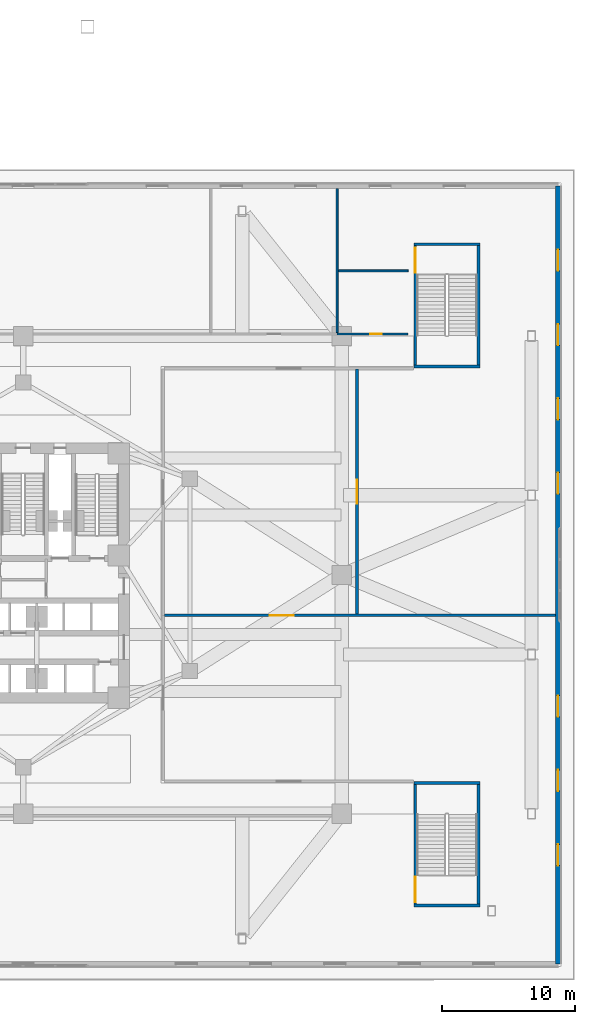
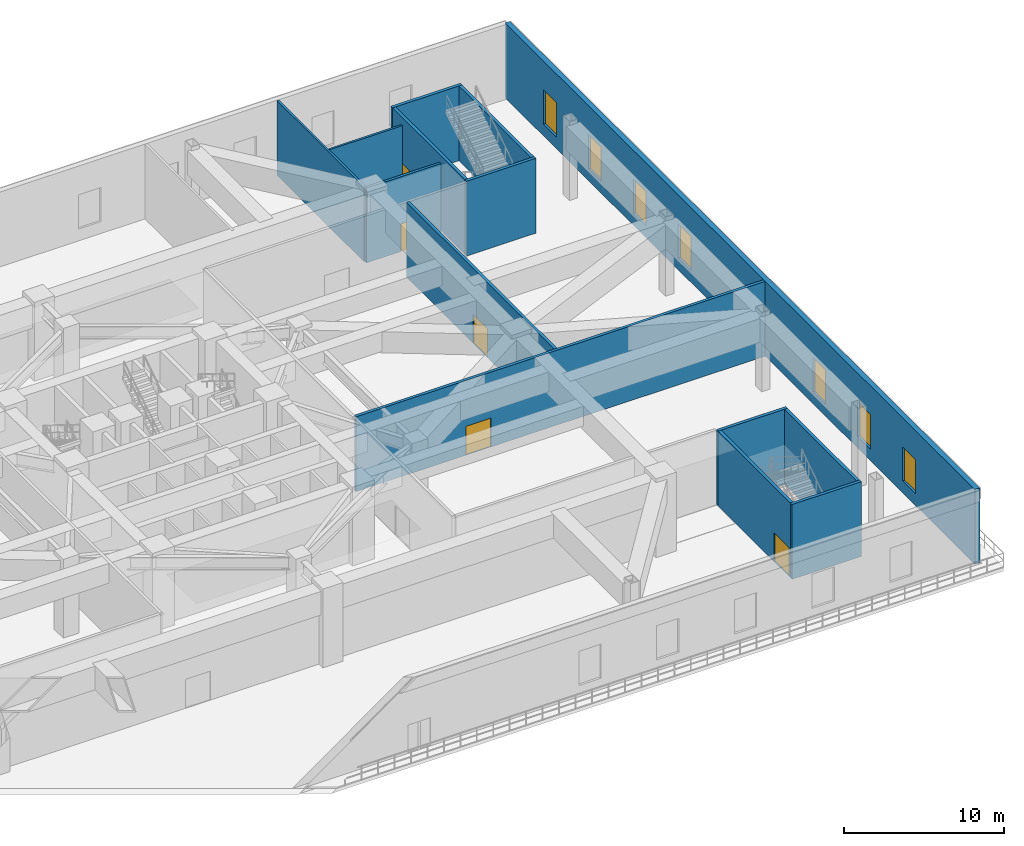
# One storey, part 15 of 25: 14 walls, 7 windows, 5 doors, 12 openings.
"""IFC4 building model written with IfcOpenShell, lengths in metres."""

from ifc_helpers import new_model, si_unit, direction, frame, frame_2d, origin, place, context, subcontext, project, spatial, rectangle, extrude, material, layer, layer_set, type_object, element, fill, save


model = new_model("IFC4")

# Units and contexts
model_context = context("Model", 3, precision=1e-05, world=origin(), true_north=direction((0.0, 1.0)))
body_context = subcontext(model_context, "Body", "Model", "MODEL_VIEW")
ifc_project = project(units=[si_unit("LENGTHUNIT", "METRE"), si_unit("AREAUNIT", "SQUARE_METRE"), si_unit("VOLUMEUNIT", "CUBIC_METRE"), si_unit("PLANEANGLEUNIT", "RADIAN"), si_unit("MASSUNIT", "GRAM", prefix="KILO")], contexts=[model_context])

# Site, building, storey
site_placement = place(None, origin())
site = spatial("IfcSite", under=ifc_project, at=site_placement, CompositionType="ELEMENT")
building_placement = place(site_placement, origin())
building = spatial("IfcBuilding", under=site, at=building_placement, Name="Apsidion Concourse Tower", CompositionType="ELEMENT")
storey_placement = place(building_placement, frame((0.0, 0.0, 11.5)))
storey = spatial("IfcBuildingStorey", under=building, at=storey_placement, Name="L02", CompositionType="ELEMENT", Elevation=11.5)

# Wall, openings, windows
ifc_material_1 = material(Name="Precast concrete C40/50", Category="concrete")
ifc_layer_1 = layer(ifc_material_1, 0.360107421875)
ifc_layer_set_1 = layer_set([ifc_layer_1], Name="Precast concrete C40/50")
wall_type_1 = type_object("IfcWallType", Name="WL-EXT-360", PredefinedType="STANDARD", material=ifc_layer_set_1)
wall_1_placement = place(storey_placement, frame((40.300048828125, 29.300048828125, 0.0), z_axis=(0.0, 0.0, 1.0), x_axis=(0.0, -1.0, 0.0)))
wall_1 = element("IfcWall", 1, at=wall_1_placement, inside=storey, type_object=wall_type_1, Name="L02 Podium Precast Stone Facade Wall E", PredefinedType="STANDARD", context=body_context, shape_type="SweptSolid", body=[
    extrude(rectangle(XDim=58.60009765625, YDim=0.360107421875, at=frame_2d((29.300048828125, 0.0))), origin(), (0.0, 0.0, 1.0), 5.699951171875),
])
opening_1_placement = place(wall_1_placement, frame((4.800048828125, 0.0, 0.89990234375)))
opening_1 = element("IfcOpeningElement", 2, at=opening_1_placement, cuts=wall_1, Name="Opening WN-02", PredefinedType="OPENING", context=body_context, shape_type="SweptSolid", body=[
    extrude(rectangle(XDim=1.60009765625, YDim=2.60009765625, at=frame_2d((0.800048828125, 1.300048828125))), frame((0.0, 0.18994140625, 0.0), z_axis=(0.0, -1.0, 0.0), x_axis=(1.0, 0.0, 0.0)), (0.0, 0.0, 1.0), 0.380126953125),
])
opening_2_placement = place(wall_1_placement, frame((10.39990234375, 0.0, 0.89990234375)))
opening_2 = element("IfcOpeningElement", 3, at=opening_2_placement, cuts=wall_1, Name="Opening WN-02", PredefinedType="OPENING", context=body_context, shape_type="SweptSolid", body=[
    extrude(rectangle(XDim=1.60009765625, YDim=2.60009765625, at=frame_2d((0.800048828125, 1.300048828125))), frame((0.0, 0.18994140625, 0.0), z_axis=(0.0, -1.0, 0.0), x_axis=(1.0, 0.0, 0.0)), (0.0, 0.0, 1.0), 0.380126953125),
])
opening_3_placement = place(wall_1_placement, frame((16.0, 0.0, 0.89990234375)))
opening_3 = element("IfcOpeningElement", 4, at=opening_3_placement, cuts=wall_1, Name="Opening WN-02", PredefinedType="OPENING", context=body_context, shape_type="SweptSolid", body=[
    extrude(rectangle(XDim=1.60009765625, YDim=2.60009765625, at=frame_2d((0.800048828125, 1.300048828125))), frame((0.0, 0.18994140625, 0.0), z_axis=(0.0, -1.0, 0.0), x_axis=(1.0, 0.0, 0.0)), (0.0, 0.0, 1.0), 0.380126953125),
])
opening_4_placement = place(wall_1_placement, frame((21.60009765625, 0.0, 0.89990234375)))
opening_4 = element("IfcOpeningElement", 5, at=opening_4_placement, cuts=wall_1, Name="Opening WN-02", PredefinedType="OPENING", context=body_context, shape_type="SweptSolid", body=[
    extrude(rectangle(XDim=1.60009765625, YDim=2.60009765625, at=frame_2d((0.800048828125, 1.300048828125))), frame((0.0, 0.18994140625, 0.0), z_axis=(0.0, -1.0, 0.0), x_axis=(1.0, 0.0, 0.0)), (0.0, 0.0, 1.0), 0.380126953125),
])
opening_5_placement = place(wall_1_placement, frame((38.39990234375, 0.0, 0.89990234375)))
opening_5 = element("IfcOpeningElement", 6, at=opening_5_placement, cuts=wall_1, Name="Opening WN-02", PredefinedType="OPENING", context=body_context, shape_type="SweptSolid", body=[
    extrude(rectangle(XDim=1.60009765625, YDim=2.60009765625, at=frame_2d((0.800048828125, 1.300048828125))), frame((0.0, 0.18994140625, 0.0), z_axis=(0.0, -1.0, 0.0), x_axis=(1.0, 0.0, 0.0)), (0.0, 0.0, 1.0), 0.380126953125),
])
opening_6_placement = place(wall_1_placement, frame((44.0, 0.0, 0.89990234375)))
opening_6 = element("IfcOpeningElement", 7, at=opening_6_placement, cuts=wall_1, Name="Opening WN-02", PredefinedType="OPENING", context=body_context, shape_type="SweptSolid", body=[
    extrude(rectangle(XDim=1.60009765625, YDim=2.60009765625, at=frame_2d((0.800048828125, 1.300048828125))), frame((0.0, 0.18994140625, 0.0), z_axis=(0.0, -1.0, 0.0), x_axis=(1.0, 0.0, 0.0)), (0.0, 0.0, 1.0), 0.380126953125),
])
opening_7_placement = place(wall_1_placement, frame((49.60009765625, 0.0, 0.89990234375)))
opening_7 = element("IfcOpeningElement", 8, at=opening_7_placement, cuts=wall_1, Name="Opening WN-02", PredefinedType="OPENING", context=body_context, shape_type="SweptSolid", body=[
    extrude(rectangle(XDim=1.60009765625, YDim=2.60009765625, at=frame_2d((0.800048828125, 1.300048828125))), frame((0.0, 0.18994140625, 0.0), z_axis=(0.0, -1.0, 0.0), x_axis=(1.0, 0.0, 0.0)), (0.0, 0.0, 1.0), 0.380126953125),
])
ifc_material_2 = material(Name="Insulated laminated low-E glass", Category="glass")
window_type = type_object("IfcWindowType", Name="WN-POD-1626", PartitioningType="DOUBLE_PANEL_VERTICAL", PredefinedType="WINDOW", material=ifc_material_2)
window_1_placement = place(opening_1_placement, origin())
window_1 = element("IfcWindow", 9, at=window_1_placement, inside=storey, type_object=window_type, Name="L02 Podium Window E-01", OverallHeight=2.60009765625, OverallWidth=1.60009765625, PartitioningType="DOUBLE_PANEL_VERTICAL", PredefinedType="WINDOW", context=body_context, shape_type="SweptSolid", body=[
    extrude(rectangle(XDim=1.60009765625, YDim=2.60009765625, at=frame_2d((0.800048828125, 1.300048828125))), frame((0.0, 0.030029296875, 0.0), z_axis=(0.0, -1.0, 0.0), x_axis=(1.0, 0.0, 0.0)), (0.0, 0.0, 1.0), 0.06005859375),
])
fill(opening_1, window_1)
window_2_placement = place(opening_2_placement, origin())
window_2 = element("IfcWindow", 10, at=window_2_placement, inside=storey, type_object=window_type, Name="L02 Podium Window E-02", OverallHeight=2.60009765625, OverallWidth=1.60009765625, PartitioningType="DOUBLE_PANEL_VERTICAL", PredefinedType="WINDOW", context=body_context, shape_type="SweptSolid", body=[
    extrude(rectangle(XDim=1.60009765625, YDim=2.60009765625, at=frame_2d((0.800048828125, 1.300048828125))), frame((0.0, 0.030029296875, 0.0), z_axis=(0.0, -1.0, 0.0), x_axis=(1.0, 0.0, 0.0)), (0.0, 0.0, 1.0), 0.06005859375),
])
fill(opening_2, window_2)
window_3_placement = place(opening_3_placement, origin())
window_3 = element("IfcWindow", 11, at=window_3_placement, inside=storey, type_object=window_type, Name="L02 Podium Window E-03", OverallHeight=2.60009765625, OverallWidth=1.60009765625, PartitioningType="DOUBLE_PANEL_VERTICAL", PredefinedType="WINDOW", context=body_context, shape_type="SweptSolid", body=[
    extrude(rectangle(XDim=1.60009765625, YDim=2.60009765625, at=frame_2d((0.800048828125, 1.300048828125))), frame((0.0, 0.030029296875, 0.0), z_axis=(0.0, -1.0, 0.0), x_axis=(1.0, 0.0, 0.0)), (0.0, 0.0, 1.0), 0.06005859375),
])
fill(opening_3, window_3)
window_4_placement = place(opening_4_placement, origin())
window_4 = element("IfcWindow", 12, at=window_4_placement, inside=storey, type_object=window_type, Name="L02 Podium Window E-04", OverallHeight=2.60009765625, OverallWidth=1.60009765625, PartitioningType="DOUBLE_PANEL_VERTICAL", PredefinedType="WINDOW", context=body_context, shape_type="SweptSolid", body=[
    extrude(rectangle(XDim=1.60009765625, YDim=2.60009765625, at=frame_2d((0.800048828125, 1.300048828125))), frame((0.0, 0.030029296875, 0.0), z_axis=(0.0, -1.0, 0.0), x_axis=(1.0, 0.0, 0.0)), (0.0, 0.0, 1.0), 0.06005859375),
])
fill(opening_4, window_4)
window_5_placement = place(opening_5_placement, origin())
window_5 = element("IfcWindow", 13, at=window_5_placement, inside=storey, type_object=window_type, Name="L02 Podium Window E-07", OverallHeight=2.60009765625, OverallWidth=1.60009765625, PartitioningType="DOUBLE_PANEL_VERTICAL", PredefinedType="WINDOW", context=body_context, shape_type="SweptSolid", body=[
    extrude(rectangle(XDim=1.60009765625, YDim=2.60009765625, at=frame_2d((0.800048828125, 1.300048828125))), frame((0.0, 0.030029296875, 0.0), z_axis=(0.0, -1.0, 0.0), x_axis=(1.0, 0.0, 0.0)), (0.0, 0.0, 1.0), 0.06005859375),
])
fill(opening_5, window_5)
window_6_placement = place(opening_6_placement, origin())
window_6 = element("IfcWindow", 14, at=window_6_placement, inside=storey, type_object=window_type, Name="L02 Podium Window E-08", OverallHeight=2.60009765625, OverallWidth=1.60009765625, PartitioningType="DOUBLE_PANEL_VERTICAL", PredefinedType="WINDOW", context=body_context, shape_type="SweptSolid", body=[
    extrude(rectangle(XDim=1.60009765625, YDim=2.60009765625, at=frame_2d((0.800048828125, 1.300048828125))), frame((0.0, 0.030029296875, 0.0), z_axis=(0.0, -1.0, 0.0), x_axis=(1.0, 0.0, 0.0)), (0.0, 0.0, 1.0), 0.06005859375),
])
fill(opening_6, window_6)
window_7_placement = place(opening_7_placement, origin())
window_7 = element("IfcWindow", 15, at=window_7_placement, inside=storey, type_object=window_type, Name="L02 Podium Window E-09", OverallHeight=2.60009765625, OverallWidth=1.60009765625, PartitioningType="DOUBLE_PANEL_VERTICAL", PredefinedType="WINDOW", context=body_context, shape_type="SweptSolid", body=[
    extrude(rectangle(XDim=1.60009765625, YDim=2.60009765625, at=frame_2d((0.800048828125, 1.300048828125))), frame((0.0, 0.030029296875, 0.0), z_axis=(0.0, -1.0, 0.0), x_axis=(1.0, 0.0, 0.0)), (0.0, 0.0, 1.0), 0.06005859375),
])
fill(opening_7, window_7)

# Wall, opening, door
ifc_material_3 = material(Name="Anodised aluminium EN AW-6063 T6", Category="aluminium")
ifc_layer_2 = layer(ifc_material_3, 0.2099609375)
ifc_layer_set_2 = layer_set([ifc_layer_2], Name="Anodised aluminium EN AW-6063 T6")
wall_type_2 = type_object("IfcWallType", Name="WL-INT-MOV-210", PredefinedType="MOVABLE", material=ifc_layer_set_2)
wall_2_placement = place(storey_placement, frame((10.64990234375, -3.050048828125, 0.0), z_axis=(0.0, 0.0, 1.0), x_axis=(1.0, 0.0, 0.0)))
wall_2 = element("IfcWall", 16, at=wall_2_placement, inside=storey, type_object=wall_type_2, Name="L02 Interior Partition WL-L02-EH", PredefinedType="MOVABLE", context=body_context, shape_type="SweptSolid", body=[
    extrude(rectangle(XDim=29.455078125, YDim=0.2099609375, at=frame_2d((14.7275390625, 0.0))), origin(), (0.0, 0.0, 1.0), 5.699951171875),
])
opening_8_placement = place(wall_2_placement, frame((7.9365234375, 0.0, 0.0)))
opening_8 = element("IfcOpeningElement", 17, at=opening_8_placement, cuts=wall_2, Name="Opening D-06D", PredefinedType="OPENING", context=body_context, shape_type="SweptSolid", body=[
    extrude(rectangle(XDim=1.800048828125, YDim=2.199951171875, at=frame_2d((0.89990234375, 1.10009765625))), frame((0.0, 0.114990234375, 0.0), z_axis=(0.0, -1.0, 0.0), x_axis=(1.0, 0.0, 0.0)), (0.0, 0.0, 1.0), 0.22998046875),
])
ifc_material_4 = material(Name="Brushed stainless steel 316", Category="steel")
door_type_1 = type_object("IfcDoorType", Name="DR-INT-D06D", OperationType="DOUBLE_DOOR_SINGLE_SWING", PredefinedType="DOOR", material=ifc_material_4)
door_1_placement = place(opening_8_placement, origin())
door_1 = element("IfcDoor", 18, at=door_1_placement, inside=storey, type_object=door_type_1, Name="L02 Convention Door WL-L02-EH", OperationType="DOUBLE_DOOR_SINGLE_SWING", OverallHeight=2.199951171875, OverallWidth=1.800048828125, PredefinedType="DOOR", context=body_context, shape_type="SweptSolid", body=[
    extrude(rectangle(XDim=1.800048828125, YDim=2.199951171875, at=frame_2d((0.89990234375, 1.10009765625))), frame((0.0, 0.02490234375, 0.0), z_axis=(0.0, -1.0, 0.0), x_axis=(1.0, 0.0, 0.0)), (0.0, 0.0, 1.0), 0.050048828125),
])
fill(opening_8, door_1)

wall_3_placement = place(storey_placement, frame((25.14990234375, -2.949951171875, 0.0), z_axis=(0.0, 0.0, 1.0), x_axis=(0.0, 1.0, 0.0)))
wall_3 = element("IfcWall", 19, at=wall_3_placement, inside=storey, type_object=wall_type_2, Name="L02 Interior Partition WL-L02-EV", PredefinedType="MOVABLE", context=body_context, shape_type="SweptSolid", body=[
    extrude(rectangle(XDim=18.449951171875, YDim=0.2099609375, at=frame_2d((9.22509765625, 0.0))), origin(), (0.0, 0.0, 1.0), 5.699951171875),
])
opening_9_placement = place(wall_3_placement, frame((8.324951171875, 0.0, 0.0)))
opening_9 = element("IfcOpeningElement", 20, at=opening_9_placement, cuts=wall_3, Name="Opening D-06D", PredefinedType="OPENING", context=body_context, shape_type="SweptSolid", body=[
    extrude(rectangle(XDim=1.800048828125, YDim=2.199951171875, at=frame_2d((0.89990234375, 1.10009765625))), frame((0.0, 0.114990234375, 0.0), z_axis=(0.0, -1.0, 0.0), x_axis=(1.0, 0.0, 0.0)), (0.0, 0.0, 1.0), 0.22998046875),
])
door_2_placement = place(opening_9_placement, origin())
door_2 = element("IfcDoor", 21, at=door_2_placement, inside=storey, type_object=door_type_1, Name="L02 Convention Door WL-L02-EV", OperationType="DOUBLE_DOOR_SINGLE_SWING", OverallHeight=2.199951171875, OverallWidth=1.800048828125, PredefinedType="DOOR", context=body_context, shape_type="SweptSolid", body=[
    extrude(rectangle(XDim=1.800048828125, YDim=2.199951171875, at=frame_2d((0.89990234375, 1.10009765625))), frame((0.0, 0.02490234375, 0.0), z_axis=(0.0, -1.0, 0.0), x_axis=(1.0, 0.0, 0.0)), (0.0, 0.0, 1.0), 0.050048828125),
])
fill(opening_9, door_2)

# Walls
ifc_material_5 = material(Name="Gypsum plasterboard partition")
ifc_layer_3 = layer(ifc_material_5, 0.14990234375)
ifc_layer_set_3 = layer_set([ifc_layer_3], Name="Gypsum plasterboard partition")
wall_type_3 = type_object("IfcWallType", Name="WL-INT-PAR-150", PredefinedType="PARTITIONING", material=ifc_layer_set_3)
wall_4_placement = place(storey_placement, frame((23.64990234375, 18.25, 0.0), z_axis=(0.0, 0.0, 1.0), x_axis=(0.0, 1.0, 0.0)))
element("IfcWall", 22, at=wall_4_placement, inside=storey, type_object=wall_type_3, Name="L02 Interior Partition WL-L02-WCV2", PredefinedType="PARTITIONING", context=body_context, shape_type="SweptSolid", body=[
    extrude(rectangle(XDim=10.85498046875, YDim=0.14990234375, at=frame_2d((5.427490234375, 0.0))), origin(), (0.0, 0.0, 1.0), 5.699951171875),
])
wall_5_placement = place(storey_placement, frame((23.75, 22.89990234375, 0.0), z_axis=(0.0, 0.0, 1.0), x_axis=(1.0, 0.0, 0.0)))
element("IfcWall", 23, at=wall_5_placement, inside=storey, type_object=wall_type_3, Name="L02 Interior Partition WL-L02-WC3", PredefinedType="PARTITIONING", context=body_context, shape_type="SweptSolid", body=[
    extrude(rectangle(XDim=5.25, YDim=0.14990234375, at=frame_2d((2.625, 0.0))), origin(), (0.0, 0.0, 1.0), 5.699951171875),
])

# Wall, opening, door
ifc_layer_4 = layer(ifc_material_5, 0.179931640625)
ifc_layer_set_4 = layer_set([ifc_layer_4], Name="Gypsum plasterboard partition")
wall_type_4 = type_object("IfcWallType", Name="WL-INT-PAR-180", PredefinedType="PARTITIONING", material=ifc_layer_set_4)
wall_6_placement = place(storey_placement, frame((23.64990234375, 18.14990234375, 0.0), z_axis=(0.0, 0.0, 1.0), x_axis=(1.0, 0.0, 0.0)))
wall_6 = element("IfcWall", 24, at=wall_6_placement, inside=storey, type_object=wall_type_4, Name="L02 Interior Partition WL-L02-WC2", PredefinedType="PARTITIONING", context=body_context, shape_type="SweptSolid", body=[
    extrude(rectangle(XDim=5.35009765625, YDim=0.179931640625, at=frame_2d((2.675048828125, 0.0))), origin(), (0.0, 0.0, 1.0), 5.699951171875),
])
opening_10_placement = place(wall_6_placement, frame((2.50244140625, 0.0, 0.0)))
opening_10 = element("IfcOpeningElement", 25, at=opening_10_placement, cuts=wall_6, Name="Opening D-03R", PredefinedType="OPENING", context=body_context, shape_type="SweptSolid", body=[
    extrude(rectangle(XDim=0.8798828125, YDim=2.10009765625, at=frame_2d((0.43994140625, 1.050048828125))), frame((0.0, 0.10009765625, 0.0), z_axis=(0.0, -1.0, 0.0), x_axis=(1.0, 0.0, 0.0)), (0.0, 0.0, 1.0), 0.199951171875),
])
door_type_2 = type_object("IfcDoorType", Name="DR-INT-D03R", OperationType="SINGLE_SWING_RIGHT", PredefinedType="DOOR", material=ifc_material_3)
door_3_placement = place(opening_10_placement, origin())
door_3 = element("IfcDoor", 26, at=door_3_placement, inside=storey, type_object=door_type_2, Name="L02 Convention Door WL-L02-WC2", OperationType="SINGLE_SWING_RIGHT", OverallHeight=2.10009765625, OverallWidth=0.8798828125, PredefinedType="DOOR", context=body_context, shape_type="SweptSolid", body=[
    extrude(rectangle(XDim=0.8798828125, YDim=2.10009765625, at=frame_2d((0.43994140625, 1.050048828125))), frame((0.0, 0.02490234375, 0.0), z_axis=(0.0, -1.0, 0.0), x_axis=(1.0, 0.0, 0.0)), (0.0, 0.0, 1.0), 0.050048828125),
])
fill(opening_10, door_3)

# Walls
ifc_material_6 = material(Name="Concrete C50/60", Category="concrete")
ifc_layer_5 = layer(ifc_material_6, 0.219970703125)
ifc_layer_set_5 = layer_set([ifc_layer_5], Name="Concrete C50/60")
wall_type_5 = type_object("IfcWallType", Name="WL-SH-220", PredefinedType="SHEAR", material=ifc_layer_set_5)
for number, where, z_axis, x_axis, name in (
    (27, (29.429931640625, -24.909912109375, 0.0), (0.0, 0.0, 1.0), (1.0, 0.0, 0.0), "L02 Podium Stair ST-P2 Core Shear Wall S"),
    (28, (29.429931640625, -15.68994140625, 0.0), (0.0, 0.0, 1.0), (1.0, 0.0, 0.0), "L02 Podium Stair ST-P2 Core Shear Wall N"),
):
    element("IfcWall", number, at=place(storey_placement, frame(where, z_axis=z_axis, x_axis=x_axis)), inside=storey, type_object=wall_type_5, Name=name, PredefinedType="SHEAR", context=body_context, shape_type="SweptSolid", body=[
        extrude(rectangle(XDim=4.989990234375, YDim=0.219970703125, at=frame_2d((2.4951171875, 0.0))), origin(), (0.0, 0.0, 1.0), 5.699951171875),
    ])

# Wall, opening, door
wall_7_placement = place(storey_placement, frame((29.5400390625, -24.800048828125, 0.0), z_axis=(0.0, 0.0, 1.0), x_axis=(0.0, 1.0, 0.0)))
wall_7 = element("IfcWall", 29, at=wall_7_placement, inside=storey, type_object=wall_type_5, Name="L02 Podium Stair ST-P2 Core Shear Wall W", PredefinedType="SHEAR", context=body_context, shape_type="SweptSolid", body=[
    extrude(rectangle(XDim=9.0, YDim=0.219970703125, at=frame_2d((4.5, 0.0))), origin(), (0.0, 0.0, 1.0), 5.699951171875),
])
opening_11_placement = place(wall_7_placement, frame((0.139892578125, 0.0, 0.0)))
opening_11 = element("IfcOpeningElement", 30, at=opening_11_placement, cuts=wall_7, Name="Opening D-07D", PredefinedType="OPENING", context=body_context, shape_type="SweptSolid", body=[
    extrude(rectangle(XDim=1.89990234375, YDim=2.199951171875, at=frame_2d((0.949951171875, 1.10009765625))), frame((0.0, 0.1201171875, 0.0), z_axis=(0.0, -1.0, 0.0), x_axis=(1.0, 0.0, 0.0)), (0.0, 0.0, 1.0), 0.239990234375),
])
door_type_3 = type_object("IfcDoorType", Name="DR-INT-D07D", OperationType="DOUBLE_DOOR_SINGLE_SWING", PredefinedType="DOOR", material=ifc_material_4)
door_4_placement = place(opening_11_placement, origin())
door_4 = element("IfcDoor", 31, at=door_4_placement, inside=storey, type_object=door_type_3, Name="L02 Podium Exit Stair ST-P2 Entry Door", OperationType="DOUBLE_DOOR_SINGLE_SWING", OverallHeight=2.199951171875, OverallWidth=1.89990234375, PredefinedType="DOOR", context=body_context, shape_type="SweptSolid", body=[
    extrude(rectangle(XDim=1.89990234375, YDim=2.199951171875, at=frame_2d((0.949951171875, 1.10009765625))), frame((0.0, 0.02490234375, 0.0), z_axis=(0.0, -1.0, 0.0), x_axis=(1.0, 0.0, 0.0)), (0.0, 0.0, 1.0), 0.050048828125),
])
fill(opening_11, door_4)

# Walls
wall_8_placement = place(storey_placement, frame((34.31005859375, -24.800048828125, 0.0), z_axis=(0.0, 0.0, 1.0), x_axis=(0.0, 1.0, 0.0)))
element("IfcWall", 32, at=wall_8_placement, inside=storey, type_object=wall_type_5, Name="L02 Podium Stair ST-P2 Core Shear Wall E", PredefinedType="SHEAR", context=body_context, shape_type="SweptSolid", body=[
    extrude(rectangle(XDim=9.0, YDim=0.219970703125, at=frame_2d((4.5, 0.0))), origin(), (0.0, 0.0, 1.0), 5.699951171875),
])
for number, where, z_axis, x_axis, name in (
    (33, (29.429931640625, 15.68994140625, 0.0), (0.0, 0.0, 1.0), (1.0, 0.0, 0.0), "L02 Podium Stair ST-P4 Core Shear Wall S"),
    (34, (29.429931640625, 24.909912109375, 0.0), (0.0, 0.0, 1.0), (1.0, 0.0, 0.0), "L02 Podium Stair ST-P4 Core Shear Wall N"),
):
    element("IfcWall", number, at=place(storey_placement, frame(where, z_axis=z_axis, x_axis=x_axis)), inside=storey, type_object=wall_type_5, Name=name, PredefinedType="SHEAR", context=body_context, shape_type="SweptSolid", body=[
        extrude(rectangle(XDim=4.989990234375, YDim=0.219970703125, at=frame_2d((2.4951171875, 0.0))), origin(), (0.0, 0.0, 1.0), 5.699951171875),
    ])

# Wall, opening, door
wall_9_placement = place(storey_placement, frame((29.5400390625, 15.800048828125, 0.0), z_axis=(0.0, 0.0, 1.0), x_axis=(0.0, 1.0, 0.0)))
wall_9 = element("IfcWall", 35, at=wall_9_placement, inside=storey, type_object=wall_type_5, Name="L02 Podium Stair ST-P4 Core Shear Wall W", PredefinedType="SHEAR", context=body_context, shape_type="SweptSolid", body=[
    extrude(rectangle(XDim=9.0, YDim=0.219970703125, at=frame_2d((4.5, 0.0))), origin(), (0.0, 0.0, 1.0), 5.699951171875),
])
opening_12_placement = place(wall_9_placement, frame((6.9599609375, 0.0, 0.0)))
opening_12 = element("IfcOpeningElement", 36, at=opening_12_placement, cuts=wall_9, Name="Opening D-07D", PredefinedType="OPENING", context=body_context, shape_type="SweptSolid", body=[
    extrude(rectangle(XDim=1.89990234375, YDim=2.199951171875, at=frame_2d((0.949951171875, 1.10009765625))), frame((0.0, 0.1201171875, 0.0), z_axis=(0.0, -1.0, 0.0), x_axis=(1.0, 0.0, 0.0)), (0.0, 0.0, 1.0), 0.239990234375),
])
door_5_placement = place(opening_12_placement, origin())
door_5 = element("IfcDoor", 37, at=door_5_placement, inside=storey, type_object=door_type_3, Name="L02 Podium Exit Stair ST-P4 Entry Door", OperationType="DOUBLE_DOOR_SINGLE_SWING", OverallHeight=2.199951171875, OverallWidth=1.89990234375, PredefinedType="DOOR", context=body_context, shape_type="SweptSolid", body=[
    extrude(rectangle(XDim=1.89990234375, YDim=2.199951171875, at=frame_2d((0.949951171875, 1.10009765625))), frame((0.0, 0.02490234375, 0.0), z_axis=(0.0, -1.0, 0.0), x_axis=(1.0, 0.0, 0.0)), (0.0, 0.0, 1.0), 0.050048828125),
])
fill(opening_12, door_5)

# Wall
wall_10_placement = place(storey_placement, frame((34.31005859375, 15.800048828125, 0.0), z_axis=(0.0, 0.0, 1.0), x_axis=(0.0, 1.0, 0.0)))
element("IfcWall", 38, at=wall_10_placement, inside=storey, type_object=wall_type_5, Name="L02 Podium Stair ST-P4 Core Shear Wall E", PredefinedType="SHEAR", context=body_context, shape_type="SweptSolid", body=[
    extrude(rectangle(XDim=9.0, YDim=0.219970703125, at=frame_2d((4.5, 0.0))), origin(), (0.0, 0.0, 1.0), 5.699951171875),
])

save(model, "model.ifc")
